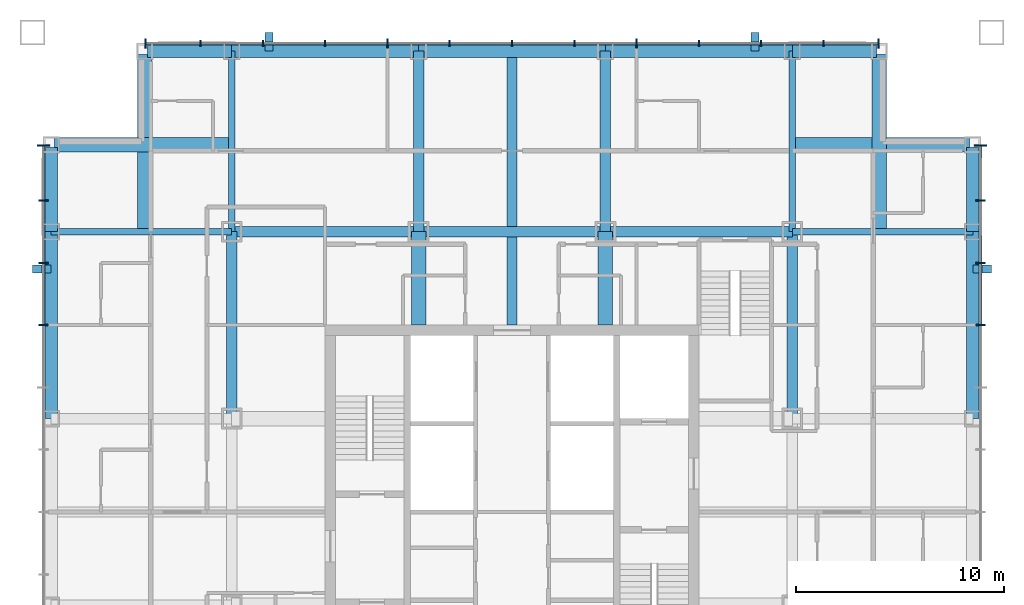
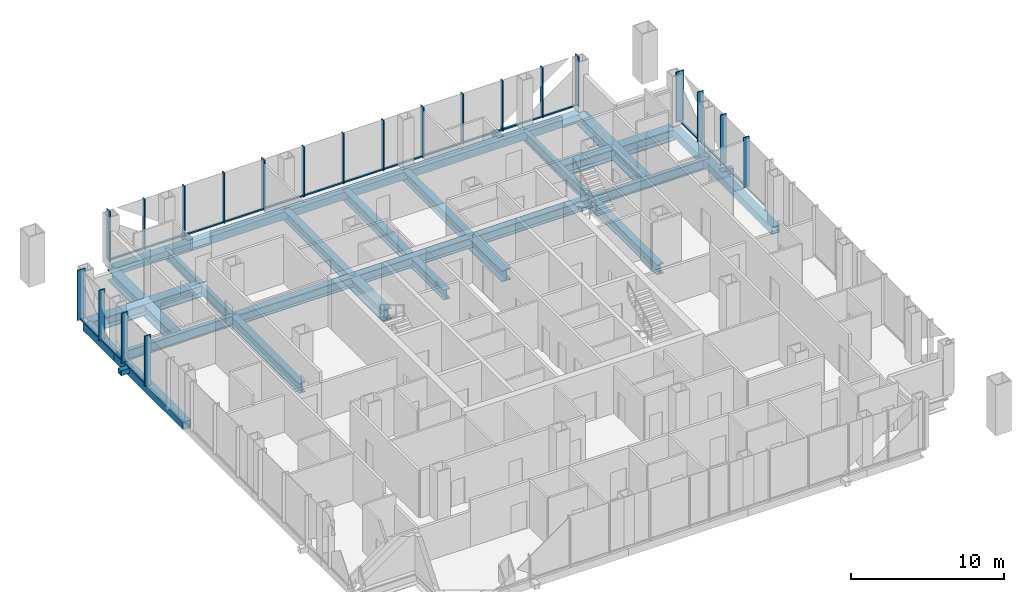
# One storey, part 4 of 11: 43 members, 27 beams, 3 elements without a shape of their own.
"""IFC4 building model written with IfcOpenShell, lengths in metres."""

from ifc_helpers import new_model, si_unit, direction, frame, origin, origin_2d, place, context, subcontext, project, spatial, rectangle, hollow_rectangle, i_section, extrude, material, layer, layer_set, material_profile, profile_set, type_object, element, aggregate, save


model = new_model("IFC4")

# Units and contexts
model_context = context("Model", 3, precision=1e-05, world=origin(), true_north=direction((0.0, 1.0)))
body_context = subcontext(model_context, "Body", "Model", "MODEL_VIEW")
ifc_project = project(units=[si_unit("LENGTHUNIT", "METRE"), si_unit("AREAUNIT", "SQUARE_METRE"), si_unit("VOLUMEUNIT", "CUBIC_METRE"), si_unit("PLANEANGLEUNIT", "RADIAN"), si_unit("MASSUNIT", "GRAM", prefix="KILO")], contexts=[model_context])

# Site, building, storey
site_placement = place(None, origin())
site = spatial("IfcSite", under=ifc_project, at=site_placement, CompositionType="ELEMENT")
building_placement = place(site_placement, origin())
building = spatial("IfcBuilding", under=site, at=building_placement, Name="Malebo Sky Hospital", CompositionType="ELEMENT")
storey_placement = place(building_placement, frame((0.0, 0.0, 201.0)))
storey = spatial("IfcBuildingStorey", under=building, at=storey_placement, Name="L48", CompositionType="ELEMENT", Elevation=201.0)

# Curtain wall, members
ifc_material_1 = material(Name="Anodised aluminium, natural silver", Category="aluminium")
ifc_layer_1 = layer(ifc_material_1, 0.25)
ifc_layer_set_1 = layer_set([ifc_layer_1], Name="WARD CURTAIN WALL NORTH AND SOUTH")
curtain_wall_type_1 = type_object("IfcCurtainWallType", Name="WARD CURTAIN WALL NORTH AND SOUTH", PredefinedType="NOTDEFINED", material=ifc_layer_set_1)
curtain_wall_1_placement = place(storey_placement, origin())
curtain_wall_1 = element("IfcCurtainWall", 1, at=curtain_wall_1_placement, inside=storey, type_object=curtain_wall_type_1, Name="NS curtain wall N", PredefinedType="NOTDEFINED")
ifc_material_profile_1 = material_profile(ifc_material_1, rectangle(XDim=0.14990234375, YDim=0.10009765625, at=origin_2d()), Name="ALUMINIUM TRANSOM 150x100")
ifc_profile_set_1 = profile_set([ifc_material_profile_1], Name="Anodised aluminium, natural silver")
member_type_1 = type_object("IfcMemberType", Name="ALUMINIUM TRANSOM 150x100", PredefinedType="USERDEFINED", material=ifc_profile_set_1)
member_1_placement = place(storey_placement, frame((42.375, 84.574951171875, 0.050048828125), z_axis=(1.0, 0.0, 0.0), x_axis=(0.0, 1.0, 0.0)))
member_1 = element("IfcMember", 2, at=member_1_placement, type_object=member_type_1, Name="Transom 1", ObjectType="TRANSOM", PredefinedType="USERDEFINED", context=body_context, shape_type="SweptSolid", body=[
    extrude(rectangle(XDim=0.14990234375, YDim=0.10009765625, at=origin_2d()), origin(), (0.0, 0.0, 1.0), 2.58740234375),
])
member_2_placement = place(storey_placement, frame((45.03759765625, 84.574951171875, 0.050048828125), z_axis=(1.0, 0.0, 0.0), x_axis=(0.0, 1.0, 0.0)))
member_2 = element("IfcMember", 3, at=member_2_placement, type_object=member_type_1, Name="Transom 2", ObjectType="TRANSOM", PredefinedType="USERDEFINED", context=body_context, shape_type="SweptSolid", body=[
    extrude(rectangle(XDim=0.14990234375, YDim=0.10009765625, at=origin_2d()), origin(), (0.0, 0.0, 1.0), 2.9248046875),
])
member_3_placement = place(storey_placement, frame((48.03759765625, 84.574951171875, 0.050048828125), z_axis=(1.0, 0.0, 0.0), x_axis=(0.0, 1.0, 0.0)))
member_3 = element("IfcMember", 4, at=member_3_placement, type_object=member_type_1, Name="Transom 3", ObjectType="TRANSOM", PredefinedType="USERDEFINED", context=body_context, shape_type="SweptSolid", body=[
    extrude(rectangle(XDim=0.14990234375, YDim=0.10009765625, at=origin_2d()), origin(), (0.0, 0.0, 1.0), 2.9248046875),
])
member_4_placement = place(storey_placement, frame((51.03759765625, 84.574951171875, 0.050048828125), z_axis=(1.0, 0.0, 0.0), x_axis=(0.0, 1.0, 0.0)))
member_4 = element("IfcMember", 5, at=member_4_placement, type_object=member_type_1, Name="Transom 4", ObjectType="TRANSOM", PredefinedType="USERDEFINED", context=body_context, shape_type="SweptSolid", body=[
    extrude(rectangle(XDim=0.14990234375, YDim=0.10009765625, at=origin_2d()), origin(), (0.0, 0.0, 1.0), 2.9248046875),
])
member_5_placement = place(storey_placement, frame((54.03759765625, 84.574951171875, 0.050048828125), z_axis=(1.0, 0.0, 0.0), x_axis=(0.0, 1.0, 0.0)))
member_5 = element("IfcMember", 6, at=member_5_placement, type_object=member_type_1, Name="Transom 5", ObjectType="TRANSOM", PredefinedType="USERDEFINED", context=body_context, shape_type="SweptSolid", body=[
    extrude(rectangle(XDim=0.14990234375, YDim=0.10009765625, at=origin_2d()), origin(), (0.0, 0.0, 1.0), 2.9248046875),
])
member_6_placement = place(storey_placement, frame((57.03759765625, 84.574951171875, 0.050048828125), z_axis=(1.0, 0.0, 0.0), x_axis=(0.0, 1.0, 0.0)))
member_6 = element("IfcMember", 7, at=member_6_placement, type_object=member_type_1, Name="Transom 6", ObjectType="TRANSOM", PredefinedType="USERDEFINED", context=body_context, shape_type="SweptSolid", body=[
    extrude(rectangle(XDim=0.14990234375, YDim=0.10009765625, at=origin_2d()), origin(), (0.0, 0.0, 1.0), 2.9248046875),
])
member_7_placement = place(storey_placement, frame((60.03759765625, 84.574951171875, 0.050048828125), z_axis=(1.0, 0.0, 0.0), x_axis=(0.0, 1.0, 0.0)))
member_7 = element("IfcMember", 8, at=member_7_placement, type_object=member_type_1, Name="Transom 7", ObjectType="TRANSOM", PredefinedType="USERDEFINED", context=body_context, shape_type="SweptSolid", body=[
    extrude(rectangle(XDim=0.14990234375, YDim=0.10009765625, at=origin_2d()), origin(), (0.0, 0.0, 1.0), 2.9248046875),
])
member_8_placement = place(storey_placement, frame((63.03759765625, 84.574951171875, 0.050048828125), z_axis=(1.0, 0.0, 0.0), x_axis=(0.0, 1.0, 0.0)))
member_8 = element("IfcMember", 9, at=member_8_placement, type_object=member_type_1, Name="Transom 8", ObjectType="TRANSOM", PredefinedType="USERDEFINED", context=body_context, shape_type="SweptSolid", body=[
    extrude(rectangle(XDim=0.14990234375, YDim=0.10009765625, at=origin_2d()), origin(), (0.0, 0.0, 1.0), 2.9248046875),
])
member_9_placement = place(storey_placement, frame((66.03759765625, 84.574951171875, 0.050048828125), z_axis=(1.0, 0.0, 0.0), x_axis=(0.0, 1.0, 0.0)))
member_9 = element("IfcMember", 10, at=member_9_placement, type_object=member_type_1, Name="Transom 9", ObjectType="TRANSOM", PredefinedType="USERDEFINED", context=body_context, shape_type="SweptSolid", body=[
    extrude(rectangle(XDim=0.14990234375, YDim=0.10009765625, at=origin_2d()), origin(), (0.0, 0.0, 1.0), 2.9248046875),
])
member_10_placement = place(storey_placement, frame((69.03759765625, 84.574951171875, 0.050048828125), z_axis=(1.0, 0.0, 0.0), x_axis=(0.0, 1.0, 0.0)))
member_10 = element("IfcMember", 11, at=member_10_placement, type_object=member_type_1, Name="Transom 10", ObjectType="TRANSOM", PredefinedType="USERDEFINED", context=body_context, shape_type="SweptSolid", body=[
    extrude(rectangle(XDim=0.14990234375, YDim=0.10009765625, at=origin_2d()), origin(), (0.0, 0.0, 1.0), 2.9248046875),
])
member_11_placement = place(storey_placement, frame((72.03759765625, 84.574951171875, 0.050048828125), z_axis=(1.0, 0.0, 0.0), x_axis=(0.0, 1.0, 0.0)))
member_11 = element("IfcMember", 12, at=member_11_placement, type_object=member_type_1, Name="Transom 11", ObjectType="TRANSOM", PredefinedType="USERDEFINED", context=body_context, shape_type="SweptSolid", body=[
    extrude(rectangle(XDim=0.14990234375, YDim=0.10009765625, at=origin_2d()), origin(), (0.0, 0.0, 1.0), 2.9248046875),
])
member_12_placement = place(storey_placement, frame((75.03759765625, 84.574951171875, 0.050048828125), z_axis=(1.0, 0.0, 0.0), x_axis=(0.0, 1.0, 0.0)))
member_12 = element("IfcMember", 13, at=member_12_placement, type_object=member_type_1, Name="Transom 12", ObjectType="TRANSOM", PredefinedType="USERDEFINED", context=body_context, shape_type="SweptSolid", body=[
    extrude(rectangle(XDim=0.14990234375, YDim=0.10009765625, at=origin_2d()), origin(), (0.0, 0.0, 1.0), 2.58740234375),
])

ifc_layer_2 = layer(ifc_material_1, 0.25)
ifc_layer_set_2 = layer_set([ifc_layer_2], Name="WARD CURTAIN WALL EAST AND WEST")
curtain_wall_type_2 = type_object("IfcCurtainWallType", Name="WARD CURTAIN WALL EAST AND WEST", PredefinedType="NOTDEFINED", material=ifc_layer_set_2)
curtain_wall_2_placement = place(storey_placement, origin())
curtain_wall_2 = element("IfcCurtainWall", 14, at=curtain_wall_2_placement, inside=storey, type_object=curtain_wall_type_2, Name="EW curtain wall W", PredefinedType="NOTDEFINED")
member_13_placement = place(storey_placement, frame((37.425048828125, 71.03759765625, 0.050048828125), z_axis=(0.0, 1.0, 0.0), x_axis=(-1.0, 0.0, 0.0)))
member_13 = element("IfcMember", 15, at=member_13_placement, type_object=member_type_1, Name="Transom 10", ObjectType="TRANSOM", PredefinedType="USERDEFINED", context=body_context, shape_type="SweptSolid", body=[
    extrude(rectangle(XDim=0.14990234375, YDim=0.10009765625, at=origin_2d()), origin(), (0.0, 0.0, 1.0), 2.9248046875),
])
member_14_placement = place(storey_placement, frame((37.425048828125, 74.03759765625, 0.050048828125), z_axis=(0.0, 1.0, 0.0), x_axis=(-1.0, 0.0, 0.0)))
member_14 = element("IfcMember", 16, at=member_14_placement, type_object=member_type_1, Name="Transom 11", ObjectType="TRANSOM", PredefinedType="USERDEFINED", context=body_context, shape_type="SweptSolid", body=[
    extrude(rectangle(XDim=0.14990234375, YDim=0.10009765625, at=origin_2d()), origin(), (0.0, 0.0, 1.0), 2.9248046875),
])
member_15_placement = place(storey_placement, frame((37.425048828125, 77.03759765625, 0.050048828125), z_axis=(0.0, 1.0, 0.0), x_axis=(-1.0, 0.0, 0.0)))
member_15 = element("IfcMember", 17, at=member_15_placement, type_object=member_type_1, Name="Transom 12", ObjectType="TRANSOM", PredefinedType="USERDEFINED", context=body_context, shape_type="SweptSolid", body=[
    extrude(rectangle(XDim=0.14990234375, YDim=0.10009765625, at=origin_2d()), origin(), (0.0, 0.0, 1.0), 2.58740234375),
])

curtain_wall_3_placement = place(storey_placement, origin())
curtain_wall_3 = element("IfcCurtainWall", 18, at=curtain_wall_3_placement, inside=storey, type_object=curtain_wall_type_2, Name="EW curtain wall E", PredefinedType="NOTDEFINED")
member_16_placement = place(storey_placement, frame((82.574951171875, 79.625, 0.050048828125), z_axis=(0.0, -1.0, 0.0), x_axis=(1.0, 0.0, 0.0)))
member_16 = element("IfcMember", 19, at=member_16_placement, type_object=member_type_1, Name="Transom 1", ObjectType="TRANSOM", PredefinedType="USERDEFINED", context=body_context, shape_type="SweptSolid", body=[
    extrude(rectangle(XDim=0.14990234375, YDim=0.10009765625, at=origin_2d()), origin(), (0.0, 0.0, 1.0), 2.58740234375),
])
member_17_placement = place(storey_placement, frame((82.574951171875, 76.96240234375, 0.050048828125), z_axis=(0.0, -1.0, 0.0), x_axis=(1.0, 0.0, 0.0)))
member_17 = element("IfcMember", 20, at=member_17_placement, type_object=member_type_1, Name="Transom 2", ObjectType="TRANSOM", PredefinedType="USERDEFINED", context=body_context, shape_type="SweptSolid", body=[
    extrude(rectangle(XDim=0.14990234375, YDim=0.10009765625, at=origin_2d()), origin(), (0.0, 0.0, 1.0), 2.9248046875),
])
member_18_placement = place(storey_placement, frame((82.574951171875, 73.96240234375, 0.050048828125), z_axis=(0.0, -1.0, 0.0), x_axis=(1.0, 0.0, 0.0)))
member_18 = element("IfcMember", 21, at=member_18_placement, type_object=member_type_1, Name="Transom 3", ObjectType="TRANSOM", PredefinedType="USERDEFINED", context=body_context, shape_type="SweptSolid", body=[
    extrude(rectangle(XDim=0.14990234375, YDim=0.10009765625, at=origin_2d()), origin(), (0.0, 0.0, 1.0), 2.9248046875),
])

# Members
ifc_material_2 = material(Name="Steel S355", Category="steel")
ifc_material_profile_2 = material_profile(ifc_material_2, hollow_rectangle(XDim=0.39990234375, YDim=0.39990234375, WallThickness=0.02001953125, at=origin_2d()), Name="SHS 400x20")
ifc_profile_set_2 = profile_set([ifc_material_profile_2], Name="Steel S355")
member_type_2 = type_object("IfcMemberType", Name="BRACE STRUT SHS 400x20", PredefinedType="STRUT", material=ifc_profile_set_2)
for number, where, z_axis, x_axis, name in (
    (22, (48.289794921875, 85.10009765625, -0.39990234375), (0.0, -1.0, 0.0), (1.0, 0.0, 0.0), "Brace strut CN1 L48"),
    (23, (71.710205078125, 85.10009765625, -0.39990234375), (0.0, -1.0, 0.0), (1.0, 0.0, 0.0), "Brace strut CN2 L48"),
    (24, (83.10009765625, 73.710205078125, -0.39990234375), (-1.0, 0.0, 0.0), (0.0, -1.0, 0.0), "Brace strut CE1 L48"),
    (25, (36.89990234375, 73.710205078125, -0.39990234375), (1.0, 0.0, 0.0), (0.0, 1.0, 0.0), "Brace strut CW2 L48"),
):
    element("IfcMember", number, at=place(storey_placement, frame(where, z_axis=z_axis, x_axis=x_axis)), inside=storey, type_object=member_type_2, Name=name, PredefinedType="STRUT", context=body_context, shape_type="SweptSolid", body=[
        extrude(hollow_rectangle(XDim=0.39990234375, YDim=0.39990234375, WallThickness=0.02001953125, at=origin_2d()), origin(), (0.0, 0.0, 1.0), 0.900146484375),
    ])

# Member
ifc_material_profile_3 = material_profile(ifc_material_1, rectangle(XDim=0.074951171875, YDim=0.300048828125, at=origin_2d()), Name="CW1 ALUMINIUM FIN MULLION 75x300")
ifc_profile_set_3 = profile_set([ifc_material_profile_3], Name="Anodised aluminium, natural silver")
member_type_3 = type_object("IfcMemberType", Name="CW1 ALUMINIUM FIN MULLION 75x300", PredefinedType="MULLION", material=ifc_profile_set_3)
member_19_placement = place(storey_placement, frame((45.0, 84.574951171875, 0.0), z_axis=(0.0, 0.0, 1.0), x_axis=(1.0, 0.0, 0.0)))
member_19 = element("IfcMember", 26, at=member_19_placement, type_object=member_type_3, Name="Fin mullion 2", PredefinedType="MULLION", context=body_context, shape_type="SweptSolid", body=[
    extrude(rectangle(XDim=0.074951171875, YDim=0.300048828125, at=origin_2d()), origin(), (0.0, 0.0, 1.0), 4.0),
])

member_20_placement = place(storey_placement, frame((48.0, 84.574951171875, 0.0), z_axis=(0.0, 0.0, 1.0), x_axis=(1.0, 0.0, 0.0)))
member_20 = element("IfcMember", 27, at=member_20_placement, type_object=member_type_3, Name="Fin mullion 3", PredefinedType="MULLION", context=body_context, shape_type="SweptSolid", body=[
    extrude(rectangle(XDim=0.074951171875, YDim=0.300048828125, at=origin_2d()), origin(), (0.0, 0.0, 1.0), 4.0),
])

member_21_placement = place(storey_placement, frame((51.0, 84.574951171875, 0.0), z_axis=(0.0, 0.0, 1.0), x_axis=(1.0, 0.0, 0.0)))
member_21 = element("IfcMember", 28, at=member_21_placement, type_object=member_type_3, Name="Fin mullion 4", PredefinedType="MULLION", context=body_context, shape_type="SweptSolid", body=[
    extrude(rectangle(XDim=0.074951171875, YDim=0.300048828125, at=origin_2d()), origin(), (0.0, 0.0, 1.0), 4.0),
])

member_22_placement = place(storey_placement, frame((57.0, 84.574951171875, 0.0), z_axis=(0.0, 0.0, 1.0), x_axis=(1.0, 0.0, 0.0)))
member_22 = element("IfcMember", 29, at=member_22_placement, type_object=member_type_3, Name="Fin mullion 6", PredefinedType="MULLION", context=body_context, shape_type="SweptSolid", body=[
    extrude(rectangle(XDim=0.074951171875, YDim=0.300048828125, at=origin_2d()), origin(), (0.0, 0.0, 1.0), 4.0),
])

member_23_placement = place(storey_placement, frame((60.0, 84.574951171875, 0.0), z_axis=(0.0, 0.0, 1.0), x_axis=(1.0, 0.0, 0.0)))
member_23 = element("IfcMember", 30, at=member_23_placement, type_object=member_type_3, Name="Fin mullion 7", PredefinedType="MULLION", context=body_context, shape_type="SweptSolid", body=[
    extrude(rectangle(XDim=0.074951171875, YDim=0.300048828125, at=origin_2d()), origin(), (0.0, 0.0, 1.0), 4.0),
])

member_24_placement = place(storey_placement, frame((63.0, 84.574951171875, 0.0), z_axis=(0.0, 0.0, 1.0), x_axis=(1.0, 0.0, 0.0)))
member_24 = element("IfcMember", 31, at=member_24_placement, type_object=member_type_3, Name="Fin mullion 8", PredefinedType="MULLION", context=body_context, shape_type="SweptSolid", body=[
    extrude(rectangle(XDim=0.074951171875, YDim=0.300048828125, at=origin_2d()), origin(), (0.0, 0.0, 1.0), 4.0),
])

member_25_placement = place(storey_placement, frame((69.0, 84.574951171875, 0.0), z_axis=(0.0, 0.0, 1.0), x_axis=(1.0, 0.0, 0.0)))
member_25 = element("IfcMember", 32, at=member_25_placement, type_object=member_type_3, Name="Fin mullion 10", PredefinedType="MULLION", context=body_context, shape_type="SweptSolid", body=[
    extrude(rectangle(XDim=0.074951171875, YDim=0.300048828125, at=origin_2d()), origin(), (0.0, 0.0, 1.0), 4.0),
])

member_26_placement = place(storey_placement, frame((72.0, 84.574951171875, 0.0), z_axis=(0.0, 0.0, 1.0), x_axis=(1.0, 0.0, 0.0)))
member_26 = element("IfcMember", 33, at=member_26_placement, type_object=member_type_3, Name="Fin mullion 11", PredefinedType="MULLION", context=body_context, shape_type="SweptSolid", body=[
    extrude(rectangle(XDim=0.074951171875, YDim=0.300048828125, at=origin_2d()), origin(), (0.0, 0.0, 1.0), 4.0),
])

member_27_placement = place(storey_placement, frame((75.0, 84.574951171875, 0.0), z_axis=(0.0, 0.0, 1.0), x_axis=(1.0, 0.0, 0.0)))
member_27 = element("IfcMember", 34, at=member_27_placement, type_object=member_type_3, Name="Fin mullion 12", PredefinedType="MULLION", context=body_context, shape_type="SweptSolid", body=[
    extrude(rectangle(XDim=0.074951171875, YDim=0.300048828125, at=origin_2d()), origin(), (0.0, 0.0, 1.0), 4.0),
])

ifc_material_profile_4 = material_profile(ifc_material_1, rectangle(XDim=0.074951171875, YDim=0.449951171875, at=origin_2d()), Name="CW1 ALUMINIUM FIN MULLION 75x450")
ifc_profile_set_4 = profile_set([ifc_material_profile_4], Name="Anodised aluminium, natural silver")
member_type_4 = type_object("IfcMemberType", Name="CW1 ALUMINIUM FIN MULLION 75x450", PredefinedType="MULLION", material=ifc_profile_set_4)
member_28_placement = place(storey_placement, frame((42.33740234375, 84.574951171875, 0.0), z_axis=(0.0, 0.0, 1.0), x_axis=(1.0, 0.0, 0.0)))
member_28 = element("IfcMember", 35, at=member_28_placement, type_object=member_type_4, Name="Fin mullion 1", PredefinedType="MULLION", context=body_context, shape_type="SweptSolid", body=[
    extrude(rectangle(XDim=0.074951171875, YDim=0.449951171875, at=origin_2d()), origin(), (0.0, 0.0, 1.0), 4.0),
])

member_29_placement = place(storey_placement, frame((54.0, 84.574951171875, 0.0), z_axis=(0.0, 0.0, 1.0), x_axis=(1.0, 0.0, 0.0)))
member_29 = element("IfcMember", 36, at=member_29_placement, type_object=member_type_4, Name="Fin mullion 5", PredefinedType="MULLION", context=body_context, shape_type="SweptSolid", body=[
    extrude(rectangle(XDim=0.074951171875, YDim=0.449951171875, at=origin_2d()), origin(), (0.0, 0.0, 1.0), 4.0),
])

member_30_placement = place(storey_placement, frame((66.0, 84.574951171875, 0.0), z_axis=(0.0, 0.0, 1.0), x_axis=(1.0, 0.0, 0.0)))
member_30 = element("IfcMember", 37, at=member_30_placement, type_object=member_type_4, Name="Fin mullion 9", PredefinedType="MULLION", context=body_context, shape_type="SweptSolid", body=[
    extrude(rectangle(XDim=0.074951171875, YDim=0.449951171875, at=origin_2d()), origin(), (0.0, 0.0, 1.0), 4.0),
])

member_31_placement = place(storey_placement, frame((77.66259765625, 84.574951171875, 0.0), z_axis=(0.0, 0.0, 1.0), x_axis=(1.0, 0.0, 0.0)))
member_31 = element("IfcMember", 38, at=member_31_placement, type_object=member_type_4, Name="Fin mullion 13", PredefinedType="MULLION", context=body_context, shape_type="SweptSolid", body=[
    extrude(rectangle(XDim=0.074951171875, YDim=0.449951171875, at=origin_2d()), origin(), (0.0, 0.0, 1.0), 4.0),
])

aggregate(curtain_wall_1, [member_28, member_19, member_20, member_21, member_29, member_22, member_23, member_24, member_30, member_25, member_26, member_27, member_31, member_1, member_2, member_3, member_4, member_5, member_6, member_7, member_8, member_9, member_10, member_11, member_12])

ifc_material_profile_5 = material_profile(ifc_material_1, rectangle(XDim=0.074951171875, YDim=0.449951171875, at=origin_2d()), Name="CW2 ALUMINIUM FIN MULLION 75x450")
ifc_profile_set_5 = profile_set([ifc_material_profile_5], Name="Anodised aluminium, natural silver")
member_type_5 = type_object("IfcMemberType", Name="CW2 ALUMINIUM FIN MULLION 75x450", PredefinedType="MULLION", material=ifc_profile_set_5)
member_32_placement = place(storey_placement, frame((37.425048828125, 71.0, 0.0), z_axis=(0.0, 0.0, 1.0), x_axis=(0.0, 1.0, 0.0)))
member_32 = element("IfcMember", 39, at=member_32_placement, type_object=member_type_5, Name="Fin mullion 10", PredefinedType="MULLION", context=body_context, shape_type="SweptSolid", body=[
    extrude(rectangle(XDim=0.074951171875, YDim=0.449951171875, at=origin_2d()), origin(), (0.0, 0.0, 1.0), 4.0),
])

member_33_placement = place(storey_placement, frame((37.425048828125, 74.0, 0.0), z_axis=(0.0, 0.0, 1.0), x_axis=(0.0, 1.0, 0.0)))
member_33 = element("IfcMember", 40, at=member_33_placement, type_object=member_type_5, Name="Fin mullion 11", PredefinedType="MULLION", context=body_context, shape_type="SweptSolid", body=[
    extrude(rectangle(XDim=0.074951171875, YDim=0.449951171875, at=origin_2d()), origin(), (0.0, 0.0, 1.0), 4.0),
])

member_34_placement = place(storey_placement, frame((37.425048828125, 77.0, 0.0), z_axis=(0.0, 0.0, 1.0), x_axis=(0.0, 1.0, 0.0)))
member_34 = element("IfcMember", 41, at=member_34_placement, type_object=member_type_5, Name="Fin mullion 12", PredefinedType="MULLION", context=body_context, shape_type="SweptSolid", body=[
    extrude(rectangle(XDim=0.074951171875, YDim=0.449951171875, at=origin_2d()), origin(), (0.0, 0.0, 1.0), 4.0),
])

member_35_placement = place(storey_placement, frame((82.574951171875, 77.0, 0.0), z_axis=(0.0, 0.0, 1.0), x_axis=(0.0, -1.0, 0.0)))
member_35 = element("IfcMember", 42, at=member_35_placement, type_object=member_type_5, Name="Fin mullion 2", PredefinedType="MULLION", context=body_context, shape_type="SweptSolid", body=[
    extrude(rectangle(XDim=0.074951171875, YDim=0.449951171875, at=origin_2d()), origin(), (0.0, 0.0, 1.0), 4.0),
])

member_36_placement = place(storey_placement, frame((82.574951171875, 74.0, 0.0), z_axis=(0.0, 0.0, 1.0), x_axis=(0.0, -1.0, 0.0)))
member_36 = element("IfcMember", 43, at=member_36_placement, type_object=member_type_5, Name="Fin mullion 3", PredefinedType="MULLION", context=body_context, shape_type="SweptSolid", body=[
    extrude(rectangle(XDim=0.074951171875, YDim=0.449951171875, at=origin_2d()), origin(), (0.0, 0.0, 1.0), 4.0),
])

member_37_placement = place(storey_placement, frame((82.574951171875, 71.0, 0.0), z_axis=(0.0, 0.0, 1.0), x_axis=(0.0, -1.0, 0.0)))
member_37 = element("IfcMember", 44, at=member_37_placement, type_object=member_type_5, Name="Fin mullion 4", PredefinedType="MULLION", context=body_context, shape_type="SweptSolid", body=[
    extrude(rectangle(XDim=0.074951171875, YDim=0.449951171875, at=origin_2d()), origin(), (0.0, 0.0, 1.0), 4.0),
])

ifc_material_profile_6 = material_profile(ifc_material_1, rectangle(XDim=0.074951171875, YDim=0.60009765625, at=origin_2d()), Name="CW2 ALUMINIUM FIN MULLION 75x600")
ifc_profile_set_6 = profile_set([ifc_material_profile_6], Name="Anodised aluminium, natural silver")
member_type_6 = type_object("IfcMemberType", Name="CW2 ALUMINIUM FIN MULLION 75x600", PredefinedType="MULLION", material=ifc_profile_set_6)
member_38_placement = place(storey_placement, frame((37.425048828125, 79.66259765625, 0.0), z_axis=(0.0, 0.0, 1.0), x_axis=(0.0, 1.0, 0.0)))
member_38 = element("IfcMember", 45, at=member_38_placement, type_object=member_type_6, Name="Fin mullion 13", PredefinedType="MULLION", context=body_context, shape_type="SweptSolid", body=[
    extrude(rectangle(XDim=0.074951171875, YDim=0.60009765625, at=origin_2d()), origin(), (0.0, 0.0, 1.0), 4.0),
])

aggregate(curtain_wall_2, [member_32, member_33, member_34, member_38, member_13, member_14, member_15])

member_39_placement = place(storey_placement, frame((82.574951171875, 79.66259765625, 0.0), z_axis=(0.0, 0.0, 1.0), x_axis=(0.0, -1.0, 0.0)))
member_39 = element("IfcMember", 46, at=member_39_placement, type_object=member_type_6, Name="Fin mullion 1", PredefinedType="MULLION", context=body_context, shape_type="SweptSolid", body=[
    extrude(rectangle(XDim=0.074951171875, YDim=0.60009765625, at=origin_2d()), origin(), (0.0, 0.0, 1.0), 4.0),
])

aggregate(curtain_wall_3, [member_39, member_35, member_36, member_37, member_16, member_17, member_18])

# Beams
ifc_material_3 = material(Name="Steel S460", Category="steel")
ifc_material_profile_7 = material_profile(ifc_material_3, hollow_rectangle(XDim=0.60009765625, YDim=0.60009765625, WallThickness=0.0400390625, at=origin_2d()), Name="BOX 600x600x40")
ifc_profile_set_7 = profile_set([ifc_material_profile_7], Name="Steel S460")
beam_type_1 = type_object("IfcBeamType", Name="EDGE BEAM BOX 600x600x40", PredefinedType="BEAM", material=ifc_profile_set_7)
beam_1_placement = place(storey_placement, frame((37.800048828125, 66.5, -0.550048828125), z_axis=(0.0, 1.0, 0.0), x_axis=(-1.0, 0.0, 0.0)))
element("IfcBeam", 47, at=beam_1_placement, inside=storey, type_object=beam_type_1, Name="Beam 003 L48", PredefinedType="BEAM", context=body_context, shape_type="SweptSolid", body=[
    extrude(hollow_rectangle(XDim=0.60009765625, YDim=0.60009765625, WallThickness=0.0400390625, at=origin_2d()), origin(), (0.0, 0.0, 1.0), 9.0),
])
beam_2_placement = place(storey_placement, frame((37.800048828125, 75.5, -0.550048828125), z_axis=(0.0, 1.0, 0.0), x_axis=(-1.0, 0.0, 0.0)))
element("IfcBeam", 48, at=beam_2_placement, inside=storey, type_object=beam_type_1, Name="Beam 004 L48", PredefinedType="BEAM", context=body_context, shape_type="SweptSolid", body=[
    extrude(hollow_rectangle(XDim=0.60009765625, YDim=0.60009765625, WallThickness=0.0400390625, at=origin_2d()), origin(), (0.0, 0.0, 1.0), 4.050048828125),
])
beam_3_placement = place(storey_placement, frame((82.199951171875, 66.5, -0.550048828125), z_axis=(0.0, 1.0, 0.0), x_axis=(-1.0, 0.0, 0.0)))
element("IfcBeam", 49, at=beam_3_placement, inside=storey, type_object=beam_type_1, Name="Beam 032 L48", PredefinedType="BEAM", context=body_context, shape_type="SweptSolid", body=[
    extrude(hollow_rectangle(XDim=0.60009765625, YDim=0.60009765625, WallThickness=0.0400390625, at=origin_2d()), origin(), (0.0, 0.0, 1.0), 9.0),
])
for number, where, z_axis, x_axis, name in (
    (50, (82.199951171875, 75.5, -0.550048828125), (0.0, 1.0, 0.0), (-1.0, 0.0, 0.0), "Beam 033 L48"),
    (51, (42.449951171875, 84.199951171875, -0.550048828125), (1.0, 0.0, 0.0), (0.0, 1.0, 0.0), "Beam 063 L48"),
):
    element("IfcBeam", number, at=place(storey_placement, frame(where, z_axis=z_axis, x_axis=x_axis)), inside=storey, type_object=beam_type_1, Name=name, PredefinedType="BEAM", context=body_context, shape_type="SweptSolid", body=[
        extrude(hollow_rectangle(XDim=0.60009765625, YDim=0.60009765625, WallThickness=0.0400390625, at=origin_2d()), origin(), (0.0, 0.0, 1.0), 4.050048828125),
    ])
for number, where, z_axis, x_axis, name in (
    (52, (46.5, 84.199951171875, -0.550048828125), (1.0, 0.0, 0.0), (0.0, 1.0, 0.0), "Beam 064 L48"),
    (53, (55.5, 84.199951171875, -0.550048828125), (1.0, 0.0, 0.0), (0.0, 1.0, 0.0), "Beam 065 L48"),
    (54, (64.5, 84.199951171875, -0.550048828125), (1.0, 0.0, 0.0), (0.0, 1.0, 0.0), "Beam 066 L48"),
):
    element("IfcBeam", number, at=place(storey_placement, frame(where, z_axis=z_axis, x_axis=x_axis)), inside=storey, type_object=beam_type_1, Name=name, PredefinedType="BEAM", context=body_context, shape_type="SweptSolid", body=[
        extrude(hollow_rectangle(XDim=0.60009765625, YDim=0.60009765625, WallThickness=0.0400390625, at=origin_2d()), origin(), (0.0, 0.0, 1.0), 9.0),
    ])
beam_4_placement = place(storey_placement, frame((73.5, 84.199951171875, -0.550048828125), z_axis=(1.0, 0.0, 0.0), x_axis=(0.0, 1.0, 0.0)))
element("IfcBeam", 55, at=beam_4_placement, inside=storey, type_object=beam_type_1, Name="Beam 067 L48", PredefinedType="BEAM", context=body_context, shape_type="SweptSolid", body=[
    extrude(hollow_rectangle(XDim=0.60009765625, YDim=0.60009765625, WallThickness=0.0400390625, at=origin_2d()), origin(), (0.0, 0.0, 1.0), 4.050048828125),
])
ifc_material_profile_8 = material_profile(ifc_material_2, i_section(OverallWidth=0.5, OverallDepth=0.800048828125, WebThickness=0.030029296875, FlangeThickness=0.050048828125, at=origin_2d()), Name="PG 800x500x30x50")
ifc_profile_set_8 = profile_set([ifc_material_profile_8], Name="Steel S355")
beam_type_2 = type_object("IfcBeamType", Name="FLOOR BEAM PG 800x500x30x50", PredefinedType="BEAM", material=ifc_profile_set_8)
beam_5_placement = place(storey_placement, frame((46.5, 66.5, -0.64990234375), z_axis=(0.0, 1.0, 0.0), x_axis=(-1.0, 0.0, 0.0)))
element("IfcBeam", 56, at=beam_5_placement, inside=storey, type_object=beam_type_2, Name="Beam 010 L48", PredefinedType="BEAM", context=body_context, shape_type="SweptSolid", body=[
    extrude(i_section(OverallWidth=0.5, OverallDepth=0.800048828125, WebThickness=0.030029296875, FlangeThickness=0.050048828125, at=origin_2d()), origin(), (0.0, 0.0, 1.0), 9.0),
])
beam_6_placement = place(storey_placement, frame((55.5, 75.5, -0.64990234375), z_axis=(0.0, 1.0, 0.0), x_axis=(-1.0, 0.0, 0.0)))
element("IfcBeam", 57, at=beam_6_placement, inside=storey, type_object=beam_type_2, Name="Beam 015 L48", PredefinedType="BEAM", context=body_context, shape_type="SweptSolid", body=[
    extrude(i_section(OverallWidth=0.5, OverallDepth=0.800048828125, WebThickness=0.030029296875, FlangeThickness=0.050048828125, at=origin_2d()), origin(), (0.0, 0.0, 1.0), 8.699951171875),
])
beam_7_placement = place(storey_placement, frame((60.0, 71.0, -0.64990234375), z_axis=(0.0, 1.0, 0.0), x_axis=(-1.0, 0.0, 0.0)))
element("IfcBeam", 58, at=beam_7_placement, inside=storey, type_object=beam_type_2, Name="Beam 017 L48", PredefinedType="BEAM", context=body_context, shape_type="SweptSolid", body=[
    extrude(i_section(OverallWidth=0.5, OverallDepth=0.800048828125, WebThickness=0.030029296875, FlangeThickness=0.050048828125, at=origin_2d()), origin(), (0.0, 0.0, 1.0), 13.199951171875),
])
beam_8_placement = place(storey_placement, frame((64.5, 75.5, -0.64990234375), z_axis=(0.0, 1.0, 0.0), x_axis=(-1.0, 0.0, 0.0)))
element("IfcBeam", 59, at=beam_8_placement, inside=storey, type_object=beam_type_2, Name="Beam 021 L48", PredefinedType="BEAM", context=body_context, shape_type="SweptSolid", body=[
    extrude(i_section(OverallWidth=0.5, OverallDepth=0.800048828125, WebThickness=0.030029296875, FlangeThickness=0.050048828125, at=origin_2d()), origin(), (0.0, 0.0, 1.0), 8.699951171875),
])
for number, where, z_axis, x_axis, name in (
    (60, (73.5, 66.5, -0.64990234375), (0.0, 1.0, 0.0), (-1.0, 0.0, 0.0), "Beam 025 L48"),
    (61, (46.5, 75.5, -0.64990234375), (1.0, 0.0, 0.0), (0.0, 1.0, 0.0), "Beam 057 L48"),
    (62, (64.5, 75.5, -0.64990234375), (1.0, 0.0, 0.0), (0.0, 1.0, 0.0), "Beam 059 L48"),
):
    element("IfcBeam", number, at=place(storey_placement, frame(where, z_axis=z_axis, x_axis=x_axis)), inside=storey, type_object=beam_type_2, Name=name, PredefinedType="BEAM", context=body_context, shape_type="SweptSolid", body=[
        extrude(i_section(OverallWidth=0.5, OverallDepth=0.800048828125, WebThickness=0.030029296875, FlangeThickness=0.050048828125, at=origin_2d()), origin(), (0.0, 0.0, 1.0), 9.0),
    ])
ifc_material_profile_9 = material_profile(ifc_material_2, i_section(OverallWidth=0.699951171875, OverallDepth=0.89990234375, WebThickness=0.0400390625, FlangeThickness=0.070068359375, at=origin_2d()), Name="PG 900x700x40x70")
ifc_profile_set_9 = profile_set([ifc_material_profile_9], Name="Steel S355")
beam_type_3 = type_object("IfcBeamType", Name="FLOOR BEAM PG 900x700x40x70", PredefinedType="BEAM", material=ifc_profile_set_9)
beam_9_placement = place(storey_placement, frame((42.300048828125, 75.5, -0.699951171875), z_axis=(0.0, 1.0, 0.0), x_axis=(-1.0, 0.0, 0.0)))
element("IfcBeam", 63, at=beam_9_placement, inside=storey, type_object=beam_type_3, Name="Beam 006 L48", PredefinedType="BEAM", context=body_context, shape_type="SweptSolid", body=[
    extrude(i_section(OverallWidth=0.699951171875, OverallDepth=0.89990234375, WebThickness=0.0400390625, FlangeThickness=0.070068359375, at=origin_2d()), origin(), (0.0, 0.0, 1.0), 8.550048828125),
])
for number, where, z_axis, x_axis, name in (
    (64, (55.5, 71.0, -0.699951171875), (0.0, 1.0, 0.0), (-1.0, 0.0, 0.0), "Beam 014 L48"),
    (65, (64.5, 71.0, -0.699951171875), (0.0, 1.0, 0.0), (-1.0, 0.0, 0.0), "Beam 020 L48"),
):
    element("IfcBeam", number, at=place(storey_placement, frame(where, z_axis=z_axis, x_axis=x_axis)), inside=storey, type_object=beam_type_3, Name=name, PredefinedType="BEAM", context=body_context, shape_type="SweptSolid", body=[
        extrude(i_section(OverallWidth=0.699951171875, OverallDepth=0.89990234375, WebThickness=0.0400390625, FlangeThickness=0.070068359375, at=origin_2d()), origin(), (0.0, 0.0, 1.0), 4.5),
    ])
for number, where, z_axis, x_axis, name in (
    (66, (77.699951171875, 75.5, -0.699951171875), (0.0, 1.0, 0.0), (-1.0, 0.0, 0.0), "Beam 028 L48"),
    (67, (37.949951171875, 79.699951171875, -0.699951171875), (1.0, 0.0, 0.0), (0.0, 1.0, 0.0), "Beam 061 L48"),
    (68, (73.5, 79.699951171875, -0.699951171875), (1.0, 0.0, 0.0), (0.0, 1.0, 0.0), "Beam 062 L48"),
):
    element("IfcBeam", number, at=place(storey_placement, frame(where, z_axis=z_axis, x_axis=x_axis)), inside=storey, type_object=beam_type_3, Name=name, PredefinedType="BEAM", context=body_context, shape_type="SweptSolid", body=[
        extrude(i_section(OverallWidth=0.699951171875, OverallDepth=0.89990234375, WebThickness=0.0400390625, FlangeThickness=0.070068359375, at=origin_2d()), origin(), (0.0, 0.0, 1.0), 8.550048828125),
    ])
ifc_material_profile_10 = material_profile(ifc_material_2, i_section(OverallWidth=0.300048828125, OverallDepth=0.800048828125, WebThickness=0.017578125, FlangeThickness=0.032958984375, FilletRadius=0.030029296875, at=origin_2d()), Name="HEB 800")
ifc_profile_set_10 = profile_set([ifc_material_profile_10], Name="Steel S355")
beam_type_4 = type_object("IfcBeamType", Name="FLOOR GIRDER HEB 800", PredefinedType="BEAM", material=ifc_profile_set_10)
for number, where, z_axis, x_axis, name in (
    (69, (46.5, 75.5, -0.64990234375), (0.0, 1.0, 0.0), (-1.0, 0.0, 0.0), "Beam 011 L48"),
    (70, (73.5, 75.5, -0.64990234375), (0.0, 1.0, 0.0), (-1.0, 0.0, 0.0), "Beam 026 L48"),
    (71, (37.800048828125, 75.5, -0.64990234375), (1.0, 0.0, 0.0), (0.0, 1.0, 0.0), "Beam 056 L48"),
    (72, (73.5, 75.5, -0.64990234375), (1.0, 0.0, 0.0), (0.0, 1.0, 0.0), "Beam 060 L48"),
):
    element("IfcBeam", number, at=place(storey_placement, frame(where, z_axis=z_axis, x_axis=x_axis)), inside=storey, type_object=beam_type_4, Name=name, PredefinedType="BEAM", context=body_context, shape_type="SweptSolid", body=[
        extrude(i_section(OverallWidth=0.300048828125, OverallDepth=0.800048828125, WebThickness=0.017578125, FlangeThickness=0.032958984375, FilletRadius=0.030029296875, at=origin_2d()), origin(), (0.0, 0.0, 1.0), 8.699951171875),
    ])
ifc_material_profile_11 = material_profile(ifc_material_2, i_section(OverallWidth=0.5, OverallDepth=0.800048828125, WebThickness=0.030029296875, FlangeThickness=0.050048828125, at=origin_2d()), Name="PG 800x500x30x50")
ifc_profile_set_11 = profile_set([ifc_material_profile_11], Name="Steel S355")
beam_type_5 = type_object("IfcBeamType", Name="RING GIRDER PG 800x500x30x50", PredefinedType="BEAM", material=ifc_profile_set_11)
beam_10_placement = place(storey_placement, frame((55.5, 75.5, -0.64990234375), z_axis=(1.0, 0.0, 0.0), x_axis=(0.0, 1.0, 0.0)))
element("IfcBeam", 73, at=beam_10_placement, inside=storey, type_object=beam_type_5, Name="Beam 058 L48", PredefinedType="BEAM", context=body_context, shape_type="SweptSolid", body=[
    extrude(i_section(OverallWidth=0.5, OverallDepth=0.800048828125, WebThickness=0.030029296875, FlangeThickness=0.050048828125, at=origin_2d()), origin(), (0.0, 0.0, 1.0), 9.0),
])

save(model, "model.ifc")
